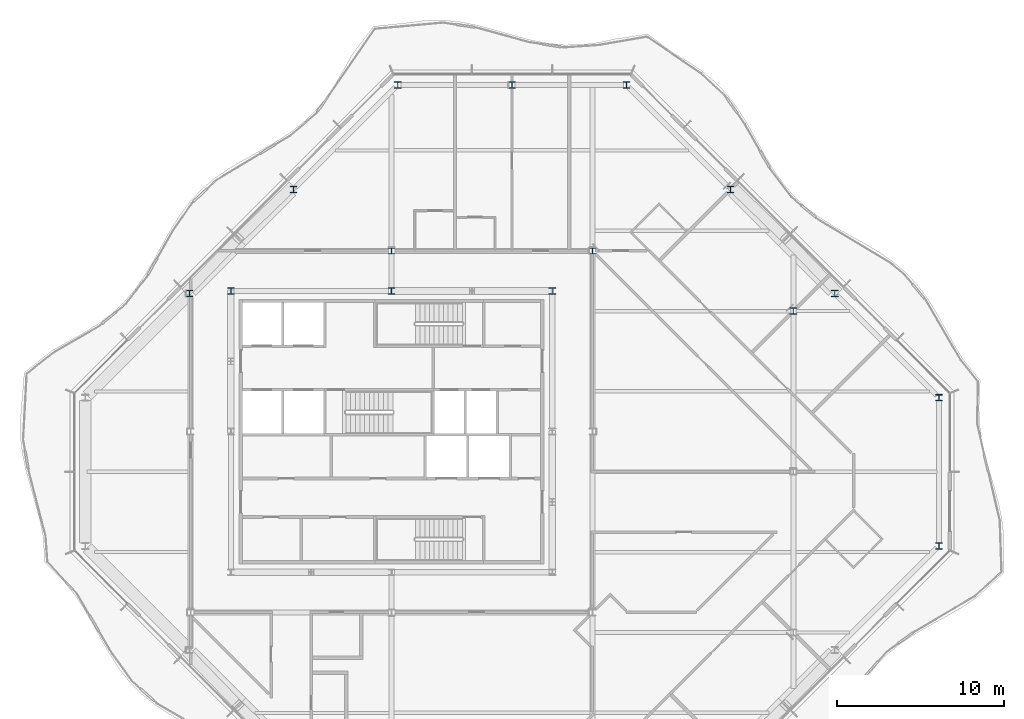
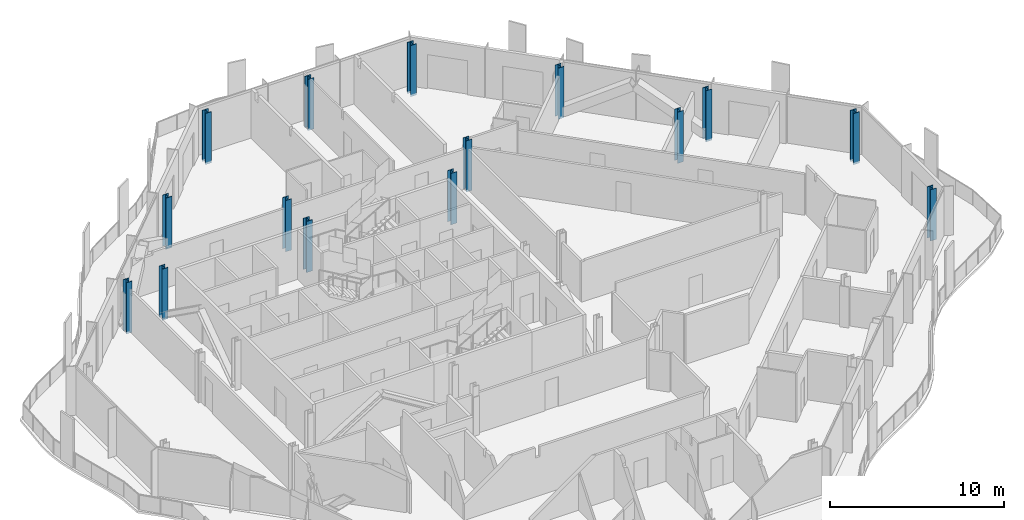
# One storey, part 2 of 17: 15 columns.
"""IFC4 building model written with IfcOpenShell, lengths in metres."""

from ifc_helpers import new_model, si_unit, direction, frame, origin, origin_2d, place, context, subcontext, project, spatial, i_section, extrude, material, material_profile, profile_set, type_object, element, save


model = new_model("IFC4")

# Units and contexts
model_context = context("Model", 3, precision=1e-05, world=origin(), true_north=direction((0.0, 1.0)))
body_context = subcontext(model_context, "Body", "Model", "MODEL_VIEW")
ifc_project = project(units=[si_unit("LENGTHUNIT", "METRE"), si_unit("AREAUNIT", "SQUARE_METRE"), si_unit("VOLUMEUNIT", "CUBIC_METRE"), si_unit("PLANEANGLEUNIT", "RADIAN"), si_unit("MASSUNIT", "GRAM", prefix="KILO")], contexts=[model_context])

# Site, building, storey
site_placement = place(None, origin())
site = spatial("IfcSite", under=ifc_project, at=site_placement, CompositionType="ELEMENT")
building_placement = place(site_placement, origin())
building = spatial("IfcBuilding", under=site, at=building_placement, Name="Cairn Pilgrim Tower", CompositionType="ELEMENT")
storey_placement = place(building_placement, frame((0.0, 0.0, 270.60009765625)))
storey = spatial("IfcBuildingStorey", under=building, at=storey_placement, Name="L69", CompositionType="ELEMENT", Elevation=270.60009765625)

# Columns
ifc_material = material(Name="Structural steel S355J2", Category="steel")
ifc_material_profile_1 = material_profile(ifc_material, i_section(OverallWidth=0.39404296875, OverallDepth=0.375, WebThickness=0.017333984375, FlangeThickness=0.027587890625, FilletRadius=0.014892578125, at=origin_2d()), Name="HD 400x216")
ifc_profile_set_1 = profile_set([ifc_material_profile_1], Name="Structural steel S355J2")
column_type_1 = type_object("IfcColumnType", Name="HD 400x216", PredefinedType="COLUMN", material=ifc_profile_set_1)
for number, where, z_axis, x_axis, name in (
    (1, (7.199951171875, 13.199951171875, -0.150146484375), (0.0, 0.0, 1.0), (1.0, 0.0, 0.0), "IC-7"),
    (2, (19.199951171875, 13.199951171875, -0.150146484375), (0.0, 0.0, 1.0), (1.0, 0.0, 0.0), "IC-8"),
    (3, (31.199951171875, 9.60009765625, -0.150146484375), (0.0, 0.0, 1.0), (1.0, 0.0, 0.0), "WC-WE+2"),
):
    element("IfcColumn", number, at=place(storey_placement, frame(where, z_axis=z_axis, x_axis=x_axis)), inside=storey, type_object=column_type_1, Name=name, PredefinedType="COLUMN", context=body_context, shape_type="SweptSolid", body=[
        extrude(i_section(OverallWidth=0.39404296875, OverallDepth=0.375, WebThickness=0.017333984375, FlangeThickness=0.027587890625, FilletRadius=0.014892578125, at=origin_2d()), origin(), (0.0, 0.0, 1.0), 3.60009765625),
    ])
ifc_material_profile_2 = material_profile(ifc_material, i_section(OverallWidth=0.39794921875, OverallDepth=0.386962890625, WebThickness=0.02099609375, FlangeThickness=0.033203125, FilletRadius=0.014892578125, at=origin_2d()), Name="HD 400x262")
ifc_profile_set_2 = profile_set([ifc_material_profile_2], Name="Structural steel S355J2")
column_type_2 = type_object("IfcColumnType", Name="HD 400x262", PredefinedType="COLUMN", material=ifc_profile_set_2)
for number, where, z_axis, x_axis, name in (
    (4, (-2.39990234375, 10.800048828125, -0.150146484375), (0.0, 0.0, 1.0), (1.0, 0.0, 0.0), "KC-6"),
    (5, (7.199951171875, 10.800048828125, -0.150146484375), (0.0, 0.0, 1.0), (1.0, 0.0, 0.0), "KC-7"),
    (6, (16.800048828125, 10.800048828125, -0.150146484375), (0.0, 0.0, 1.0), (1.0, 0.0, 0.0), "KC-8"),
):
    element("IfcColumn", number, at=place(storey_placement, frame(where, z_axis=z_axis, x_axis=x_axis)), inside=storey, type_object=column_type_2, Name=name, PredefinedType="COLUMN", context=body_context, shape_type="SweptSolid", body=[
        extrude(i_section(OverallWidth=0.39794921875, OverallDepth=0.386962890625, WebThickness=0.02099609375, FlangeThickness=0.033203125, FilletRadius=0.014892578125, at=origin_2d()), origin(), (0.0, 0.0, 1.0), 3.60009765625),
    ])
ifc_material_profile_3 = material_profile(ifc_material, i_section(OverallWidth=0.39892578125, OverallDepth=0.39306640625, WebThickness=0.022705078125, FlangeThickness=0.03662109375, FilletRadius=0.014892578125, at=origin_2d()), Name="HD 400x287")
ifc_profile_set_3 = profile_set([ifc_material_profile_3], Name="Structural steel S355J2")
column_type_3 = type_object("IfcColumnType", Name="HD 400x287", PredefinedType="COLUMN", material=ifc_profile_set_3)
for number, where, z_axis, x_axis, name in (
    (7, (39.89990234375, -4.42724609375, -0.150146484375), (0.0, 0.0, 1.0), (1.0, 0.0, 0.0), "PC4-E1"),
    (8, (39.89990234375, 4.42724609375, -0.150146484375), (0.0, 0.0, 1.0), (1.0, 0.0, 0.0), "PC4-NE1"),
    (9, (33.67578125, 10.651611328125, -0.150146484375), (0.0, 0.0, 1.0), (1.0, 0.0, 0.0), "PC4-NE2"),
    (10, (27.451416015625, 16.875732421875, -0.150146484375), (0.0, 0.0, 1.0), (1.0, 0.0, 0.0), "PC4-NE3"),
    (11, (21.227294921875, 23.10009765625, -0.150146484375), (0.0, 0.0, 1.0), (1.0, 0.0, 0.0), "PC4-N1"),
    (12, (14.39990234375, 23.10009765625, -0.150146484375), (0.0, 0.0, 1.0), (1.0, 0.0, 0.0), "PC4-N2"),
    (13, (7.57275390625, 23.10009765625, -0.150146484375), (0.0, 0.0, 1.0), (1.0, 0.0, 0.0), "PC4-NW1"),
    (14, (1.348388671875, 16.875732421875, -0.150146484375), (0.0, 0.0, 1.0), (1.0, 0.0, 0.0), "PC4-NW2"),
    (15, (-4.875732421875, 10.651611328125, -0.150146484375), (0.0, 0.0, 1.0), (1.0, 0.0, 0.0), "PC4-NW3"),
):
    element("IfcColumn", number, at=place(storey_placement, frame(where, z_axis=z_axis, x_axis=x_axis)), inside=storey, type_object=column_type_3, Name=name, PredefinedType="COLUMN", context=body_context, shape_type="SweptSolid", body=[
        extrude(i_section(OverallWidth=0.39892578125, OverallDepth=0.39306640625, WebThickness=0.022705078125, FlangeThickness=0.03662109375, FilletRadius=0.014892578125, at=origin_2d()), origin(), (0.0, 0.0, 1.0), 3.60009765625),
    ])

save(model, "model.ifc")
